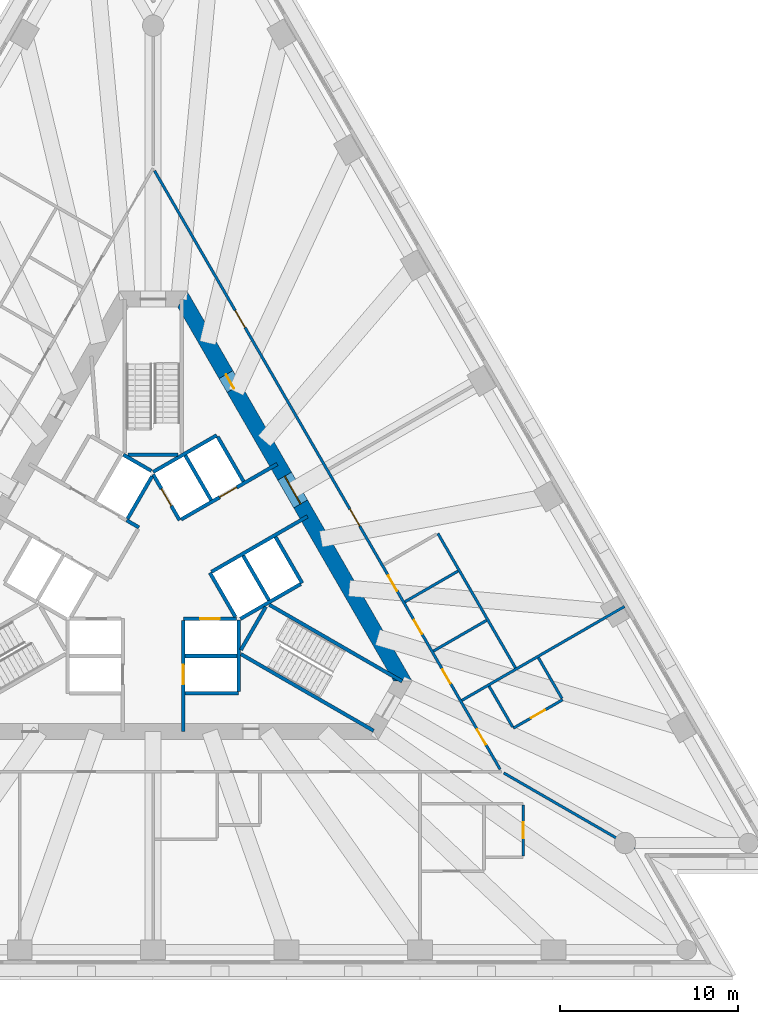
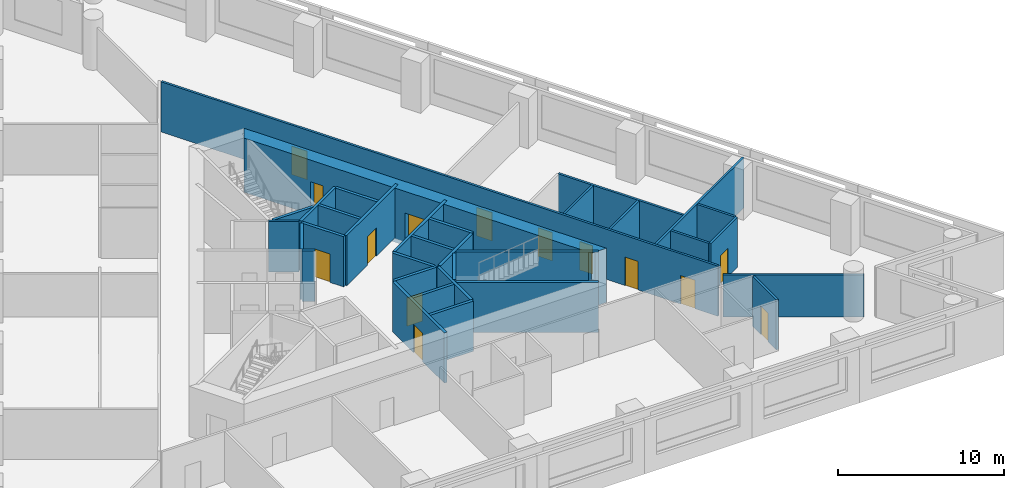
# One storey, part 5 of 9: 33 walls, 14 doors, 14 openings.
"""IFC4 building model written with IfcOpenShell, lengths in metres."""

import ifcopenshell
import ifcopenshell.guid

model = None  # the IFC model being written
_history = None  # IfcOwnerHistory: only IFC2X3 demands one
_inside = {}  # id of a spatial element -> (the spatial element, [elements in it])
_under = {}  # id of a project, library or spatial element -> (it, [spatial elements below it])
_declared = {}  # id of a project -> (the project, [libraries it declares])
_typed = {}  # id of a type object -> (the type object, [elements of that type])
_made_of = {}  # id of a material, layer set ... -> (it, [elements and type objects made of it])


def new_model(schema):
    """Start an empty IFC model of exactly this schema.

    Asked for "IFC4X3", IfcOpenShell would pick the latest addendum, in which some entities
    have other attributes; the version numbers below select the first issue.
    IFC2X3 requires an IfcOwnerHistory on every rooted entity: one is made here for all.
    """
    global model, _history
    if schema == "IFC4X3":
        model = ifcopenshell.file(schema_version=(4, 3, 0, 0))
    else:
        model = ifcopenshell.file(schema=schema)
    _inside.clear()
    _under.clear()
    _declared.clear()
    _typed.clear()
    _made_of.clear()
    _history = None
    if model.schema == "IFC2X3":
        org = make("IfcOrganization", Name="unknown")
        user = make(
            "IfcPersonAndOrganization",
            ThePerson=make("IfcPerson", FamilyName="unknown"),
            TheOrganization=org,
        )
        app = make(
            "IfcApplication",
            ApplicationDeveloper=org,
            Version="unknown",
            ApplicationFullName="unknown",
            ApplicationIdentifier="unknown",
        )
        _history = make(
            "IfcOwnerHistory",
            OwningUser=user,
            OwningApplication=app,
            ChangeAction="ADDED",
            CreationDate=0,
        )
    return model


def make(cls, **values):
    """One entity of the class cls with the attributes given. An attribute that is None is left unset."""
    return model.create_entity(
        cls, **{name: value for name, value in values.items() if value is not None}
    )


def rooted(cls, **values):
    """An entity with a GlobalId (a new one), such as an element, a storey or a relation."""
    return make(cls, GlobalId=ifcopenshell.guid.new(), OwnerHistory=_history, **values)


def si_unit(unit_type, name, prefix=None):
    """IfcSIUnit, for example si_unit("LENGTHUNIT", "METRE", prefix="MILLI")."""
    return make("IfcSIUnit", UnitType=unit_type, Prefix=prefix, Name=name)


def assignment(units):
    """IfcUnitAssignment: the units of a project."""
    return None if units is None else make("IfcUnitAssignment", Units=units)


def point(xyz):
    """IfcCartesianPoint."""
    return None if xyz is None else make("IfcCartesianPoint", Coordinates=xyz)


def direction(xyz):
    """IfcDirection."""
    return None if xyz is None else make("IfcDirection", DirectionRatios=xyz)


def frame(location, z_axis=None, x_axis=None):
    """IfcAxis2Placement3D, a coordinate frame: its origin and axes. An axis left out is left unset."""
    return make(
        "IfcAxis2Placement3D",
        Location=point(location),
        Axis=direction(z_axis),
        RefDirection=direction(x_axis),
    )


def frame_2d(location, x_axis=None):
    """IfcAxis2Placement2D, a coordinate frame in the plane: its origin and x axis."""
    return make(
        "IfcAxis2Placement2D", Location=point(location), RefDirection=direction(x_axis)
    )


def origin():
    """The frame at (0, 0, 0) with its axes left unset."""
    return frame((0.0, 0.0, 0.0))


def place(relative_to, where):
    """IfcLocalPlacement: puts the frame where relative to a parent placement (None: the world)."""
    return make(
        "IfcLocalPlacement", PlacementRelTo=relative_to, RelativePlacement=where
    )


def context(
    kind, dimensions, precision=None, world=None, true_north=None, identifier=None
):
    """IfcGeometricRepresentationContext, for example the 3D "Model" context."""
    return make(
        "IfcGeometricRepresentationContext",
        ContextIdentifier=identifier,
        ContextType=kind,
        CoordinateSpaceDimension=dimensions,
        Precision=precision,
        WorldCoordinateSystem=world,
        TrueNorth=true_north,
    )


def subcontext(parent, identifier, kind, view, scale=None):
    """IfcGeometricRepresentationSubContext, for example "Body" below "Model"."""
    return make(
        "IfcGeometricRepresentationSubContext",
        ContextIdentifier=identifier,
        ContextType=kind,
        ParentContext=parent,
        TargetScale=scale,
        TargetView=view,
    )


def project(units=None, contexts=None):
    """IfcProject with its units and contexts."""
    return rooted(
        "IfcProject",
        Name="project",
        RepresentationContexts=contexts,
        UnitsInContext=assignment(units),
    )


def spatial(cls, under=None, at=None, **own):
    """A site, building, storey or space (cls), placed at a placement, below another one or the project."""
    s = rooted(cls, ObjectPlacement=at, **own)
    if under is not None:
        _under.setdefault(under.id(), (under, []))[1].append(s)
    return s


def polyline(points):
    """IfcPolyline through the points."""
    return make("IfcPolyline", Points=[point(p) for p in points])


def profile(cls, at=None, kind="AREA", **sizes):
    """A parametric profile (cls). Its sizes go by their IFC names, for example OverallWidth=200.0."""
    return make(cls, ProfileType=kind, Position=at, **sizes)


def rectangle(**sizes):
    """IfcRectangleProfileDef."""
    return profile("IfcRectangleProfileDef", **sizes)


def outline(outer, holes=None, kind="AREA"):
    """IfcArbitraryClosedProfileDef: a profile drawn as a closed curve; with holes, ...WithVoids."""
    if holes is None:
        return make("IfcArbitraryClosedProfileDef", ProfileType=kind, OuterCurve=outer)
    return make(
        "IfcArbitraryProfileDefWithVoids",
        ProfileType=kind,
        OuterCurve=outer,
        InnerCurves=holes,
    )


def extrude(swept, where, along, depth):
    """IfcExtrudedAreaSolid: the profile swept, set in the frame where, extruded along a direction by depth."""
    return make(
        "IfcExtrudedAreaSolid",
        SweptArea=swept,
        Position=where,
        ExtrudedDirection=direction(along),
        Depth=depth,
    )


def shape(context_of_items, identifier, shape_type, items):
    """IfcShapeRepresentation: the items that make up one representation, for example the "Body"."""
    return make(
        "IfcShapeRepresentation",
        ContextOfItems=context_of_items,
        RepresentationIdentifier=identifier,
        RepresentationType=shape_type,
        Items=items,
    )


def material(Name=None, Category=None):
    """IfcMaterial."""
    return make("IfcMaterial", Name=Name, Category=Category)


def layer(
    of_material, thickness, ventilated=None, Name=None, Category=None, Priority=None
):
    """IfcMaterialLayer: one layer of a wall or slab, of a material (None: an air gap)."""
    return make(
        "IfcMaterialLayer",
        Material=of_material,
        LayerThickness=thickness,
        IsVentilated=ventilated,
        Name=Name,
        Category=Category,
        Priority=Priority,
    )


def layer_set(layers, Name=None):
    """IfcMaterialLayerSet."""
    return make("IfcMaterialLayerSet", MaterialLayers=layers, LayerSetName=Name)


def made_of(thing, what):
    """Note that an element or type object is made of a material, layer set ...; save() writes the relation."""
    if what is not None:
        _made_of.setdefault(what.id(), (what, []))[1].append(thing)
    return thing


def type_object(cls, material=None, **own):
    """A type object (cls), such as IfcWallType, which elements share."""
    return made_of(rooted(cls, **own), material)


def element(
    cls,
    number,
    at=None,
    inside=None,
    cuts=None,
    type_object=None,
    material=None,
    context=None,
    identifier="Body",
    shape_type=None,
    held_by="IfcProductDefinitionShape",
    body=None,
    shapes=None,
    **own,
):
    """One element of the class cls, such as IfcWall. Its Tag is "e" and its number.

    at: its placement. inside: the storey or other place that contains it. cuts: it is an
    opening in that element (IfcRelVoidsElement). A single representation is given by context,
    identifier, shape_type and body (its items); several are given by shapes. held_by: the class
    of the entity that holds the representations. save() writes the other relations.
    """
    e = rooted(cls, Tag="e%d" % number, ObjectPlacement=at, **own)
    if body is not None:
        shapes = [shape(context, identifier, shape_type, body)]
    if shapes is not None:
        e.Representation = make(held_by, Representations=shapes)
    if inside is not None:
        _inside.setdefault(inside.id(), (inside, []))[1].append(e)
    if cuts is not None:
        rooted(
            "IfcRelVoidsElement", RelatingBuildingElement=cuts, RelatedOpeningElement=e
        )
    if type_object is not None:
        _typed.setdefault(type_object.id(), (type_object, []))[1].append(e)
    return made_of(e, material)


def fill(opening, filler):
    """IfcRelFillsElement: the door or window that sits in an opening."""
    return rooted(
        "IfcRelFillsElement",
        RelatingOpeningElement=opening,
        RelatedBuildingElement=filler,
    )


def aggregate(whole, parts):
    """IfcRelAggregates: a whole, such as a stair, and the parts it consists of."""
    return rooted("IfcRelAggregates", RelatingObject=whole, RelatedObjects=parts)


def save(model, path):
    """Write the relations noted so far, then the file.

    IfcRelAggregates (storeys below a building ...), IfcRelContainedInSpatialStructure (elements
    in a storey), IfcRelDefinesByType, IfcRelAssociatesMaterial and IfcRelDeclares: one each for
    every whole, place, type object, material and project.
    """
    for whole, parts in _under.values():
        aggregate(whole, parts)
    for where, things in _inside.values():
        rooted(
            "IfcRelContainedInSpatialStructure",
            RelatedElements=things,
            RelatingStructure=where,
        )
    for kind, things in _typed.values():
        rooted("IfcRelDefinesByType", RelatedObjects=things, RelatingType=kind)
    for what, things in _made_of.values():
        rooted("IfcRelAssociatesMaterial", RelatedObjects=things, RelatingMaterial=what)
    for by, libraries in _declared.values():
        rooted("IfcRelDeclares", RelatingContext=by, RelatedDefinitions=libraries)
    model.write(path)


model = new_model("IFC4")

# Units and contexts
model_context = context("Model", 3, precision=1e-05, world=origin(), true_north=direction((0.0, 1.0)))
body_context = subcontext(model_context, "Body", "Model", "MODEL_VIEW")
ifc_project = project(units=[si_unit("LENGTHUNIT", "METRE"), si_unit("AREAUNIT", "SQUARE_METRE"), si_unit("VOLUMEUNIT", "CUBIC_METRE"), si_unit("PLANEANGLEUNIT", "RADIAN"), si_unit("MASSUNIT", "GRAM", prefix="KILO")], contexts=[model_context])

# Site, building, storey
site_placement = place(None, origin())
site = spatial("IfcSite", under=ifc_project, at=site_placement, CompositionType="ELEMENT")
building_placement = place(site_placement, origin())
building = spatial("IfcBuilding", under=site, at=building_placement, Name="Triada Interchange Tower", CompositionType="ELEMENT")
storey_placement = place(building_placement, frame((0.0, 0.0, 47.300048828125)))
storey = spatial("IfcBuildingStorey", under=building, at=storey_placement, Name="L09", CompositionType="ELEMENT", Elevation=47.300048828125)

# Walls
ifc_material_1 = material(Name="Concrete C30/37", Category="concrete")
ifc_layer_1 = layer(ifc_material_1, 0.199951171875)
ifc_layer_set_1 = layer_set([ifc_layer_1], Name="CORE WALL 200 EI 120")
wall_type_1 = type_object("IfcWallType", Name="CORE WALL 200 EI 120", PredefinedType="SOLIDWALL", material=ifc_layer_set_1)
wall_1_placement = place(storey_placement, frame((1.800048828125, -4.800048828125, 0.0), z_axis=(0.0, 0.0, 1.0), x_axis=(1.0, 0.0, 0.0)))
element("IfcWall", 1, at=wall_1_placement, inside=storey, type_object=wall_type_1, Name="Wall L09 40", PredefinedType="SOLIDWALL", context=body_context, shape_type="SweptSolid", body=[
    extrude(rectangle(XDim=2.89990234375, YDim=0.199951171875, at=frame_2d((1.449951171875, 0.0))), origin(), (0.0, 0.0, 1.0), 3.699951171875),
])
wall_2_placement = place(storey_placement, frame((1.800048828125, -6.89990234375, 0.0), z_axis=(0.0, 0.0, 1.0), x_axis=(1.0, 0.0, 0.0)))
element("IfcWall", 2, at=wall_2_placement, inside=storey, type_object=wall_type_1, Name="Wall L09 43", PredefinedType="SOLIDWALL", context=body_context, shape_type="SweptSolid", body=[
    extrude(rectangle(XDim=3.0, YDim=0.199951171875, at=frame_2d((1.5, 0.0))), origin(), (0.0, 0.0, 1.0), 3.699951171875),
])

# Wall, opening, door
wall_3_placement = place(storey_placement, frame((1.702880859375, -2.699951171875, 0.0), z_axis=(0.0, 0.0, 1.0), x_axis=(1.0, 0.0, 0.0)))
wall_3 = element("IfcWall", 3, at=wall_3_placement, inside=storey, type_object=wall_type_1, Name="Wall L09 46", PredefinedType="SOLIDWALL", context=body_context, shape_type="SweptSolid", body=[
    extrude(rectangle(XDim=2.97314453125, YDim=0.199951171875, at=frame_2d((1.486572265625, 0.0))), origin(), (0.0, 0.0, 1.0), 3.699951171875),
])
opening_1_placement = place(wall_3_placement, frame((0.93603515625, 0.0, 0.0)))
opening_1 = element("IfcOpeningElement", 4, at=opening_1_placement, cuts=wall_3, Name="Opening LD-LR1", PredefinedType="OPENING", context=body_context, shape_type="SweptSolid", body=[
    extrude(rectangle(XDim=1.10009765625, YDim=2.10009765625, at=frame_2d((0.550048828125, 1.050048828125))), frame((0.0, 0.10986328125, 0.0), z_axis=(0.0, -1.0, 0.0), x_axis=(1.0, 0.0, 0.0)), (0.0, 0.0, 1.0), 0.219970703125),
])
ifc_material_2 = material(Name="Steel S235 door leaf", Category="steel")
door_type_1 = type_object("IfcDoorType", Name="LIFT LANDING DOOR 1100 EI 120", OperationType="SLIDING_TO_LEFT", PredefinedType="DOOR", material=ifc_material_2)
door_1_placement = place(opening_1_placement, origin())
door_1 = element("IfcDoor", 5, at=door_1_placement, inside=storey, type_object=door_type_1, Name="LR1 landing door L09", OperationType="SLIDING_TO_LEFT", OverallHeight=2.10009765625, OverallWidth=1.10009765625, PredefinedType="DOOR", context=body_context, shape_type="SweptSolid", body=[
    extrude(rectangle(XDim=1.10009765625, YDim=2.10009765625, at=frame_2d((0.550048828125, 1.050048828125))), frame((0.0, 0.02490234375, 0.0), z_axis=(0.0, -1.0, 0.0), x_axis=(1.0, 0.0, 0.0)), (0.0, 0.0, 1.0), 0.050048828125),
])
fill(opening_1, door_1)

# Wall
wall_4_placement = place(storey_placement, frame((-0.001953125, 5.541015625, 0.0), z_axis=(0.0, 0.0, 1.0), x_axis=(0.86600155993, 0.500041296494, 0.0)))
element("IfcWall", 6, at=wall_4_placement, inside=storey, type_object=wall_type_1, Name="Wall L09 47", PredefinedType="SOLIDWALL", context=body_context, shape_type="SweptSolid", body=[
    extrude(rectangle(XDim=4.131591796875, YDim=0.199951171875, at=frame_2d((2.06591796875, 0.0))), origin(), (0.0, 0.0, 1.0), 3.699951171875),
])

# Wall, opening, door
wall_5_placement = place(storey_placement, frame((0.0, 5.39990234375, 0.0), z_axis=(0.0, 0.0, 1.0), x_axis=(0.500103862429, -0.865965430478, 0.0)))
wall_5 = element("IfcWall", 7, at=wall_5_placement, inside=storey, type_object=wall_type_1, Name="Wall L09 48", PredefinedType="SOLIDWALL", context=body_context, shape_type="SweptSolid", body=[
    extrude(rectangle(XDim=2.973388671875, YDim=0.199951171875, at=frame_2d((1.48681640625, 0.0))), origin(), (0.0, 0.0, 1.0), 3.699951171875),
])
opening_2_placement = place(wall_5_placement, frame((0.93701171875, 0.0, 0.0)))
opening_2 = element("IfcOpeningElement", 8, at=opening_2_placement, cuts=wall_5, Name="Opening LD-LR5", PredefinedType="OPENING", context=body_context, shape_type="SweptSolid", body=[
    extrude(rectangle(XDim=1.10009765625, YDim=2.10009765625, at=frame_2d((0.550048828125, 1.050048828125))), frame((0.0, 0.10986328125, 0.0), z_axis=(0.0, -1.0, 0.0), x_axis=(1.0, 0.0, 0.0)), (0.0, 0.0, 1.0), 0.219970703125),
])
door_2_placement = place(opening_2_placement, origin())
door_2 = element("IfcDoor", 9, at=door_2_placement, inside=storey, type_object=door_type_1, Name="LR5 landing door L09", OperationType="SLIDING_TO_LEFT", OverallHeight=2.10009765625, OverallWidth=1.10009765625, PredefinedType="DOOR", context=body_context, shape_type="SweptSolid", body=[
    extrude(rectangle(XDim=1.10009765625, YDim=2.10009765625, at=frame_2d((0.550048828125, 1.050048828125))), frame((0.0, 0.02490234375, 0.0), z_axis=(0.0, -1.0, 0.0), x_axis=(1.0, 0.0, 0.0)), (0.0, 0.0, 1.0), 0.050048828125),
])
fill(opening_2, door_2)

# Wall
wall_6_placement = place(storey_placement, frame((3.18994140625, -0.125, 0.0), z_axis=(0.0, 0.0, 1.0), x_axis=(0.499988658015, -0.866031951983, 0.0)))
element("IfcWall", 10, at=wall_6_placement, inside=storey, type_object=wall_type_1, Name="Wall L09 49", PredefinedType="SOLIDWALL", context=body_context, shape_type="SweptSolid", body=[
    extrude(rectangle(XDim=2.85791015625, YDim=0.199951171875, at=frame_2d((1.428955078125, 0.0))), origin(), (0.0, 0.0, 1.0), 3.699951171875),
])

# Wall, opening, door
wall_7_placement = place(storey_placement, frame((1.577880859375, 2.8740234375, 0.0), z_axis=(0.0, 0.0, 1.0), x_axis=(0.866031483044, 0.499989470266, 0.0)))
wall_7 = element("IfcWall", 11, at=wall_7_placement, inside=storey, type_object=wall_type_1, Name="Wall L09 50", PredefinedType="SOLIDWALL", context=body_context, shape_type="SweptSolid", body=[
    extrude(rectangle(XDim=6.226318359375, YDim=0.199951171875, at=frame_2d((3.11328125, 0.0))), origin(), (0.0, 0.0, 1.0), 3.699951171875),
])
opening_3_placement = place(wall_7_placement, frame((2.49609375, 0.0, 0.0)))
opening_3 = element("IfcOpeningElement", 12, at=opening_3_placement, cuts=wall_7, Name="Opening LD-LR6", PredefinedType="OPENING", context=body_context, shape_type="SweptSolid", body=[
    extrude(rectangle(XDim=1.10009765625, YDim=2.10009765625, at=frame_2d((0.550048828125, 1.050048828125))), frame((0.0, 0.10986328125, 0.0), z_axis=(0.0, -1.0, 0.0), x_axis=(1.0, 0.0, 0.0)), (0.0, 0.0, 1.0), 0.219970703125),
])
door_3_placement = place(opening_3_placement, origin())
door_3 = element("IfcDoor", 13, at=door_3_placement, inside=storey, type_object=door_type_1, Name="LR6 landing door L09", OperationType="SLIDING_TO_LEFT", OverallHeight=2.10009765625, OverallWidth=1.10009765625, PredefinedType="DOOR", context=body_context, shape_type="SweptSolid", body=[
    extrude(rectangle(XDim=1.10009765625, YDim=2.10009765625, at=frame_2d((0.550048828125, 1.050048828125))), frame((0.0, 0.02490234375, 0.0), z_axis=(0.0, -1.0, 0.0), x_axis=(1.0, 0.0, 0.0)), (0.0, 0.0, 1.0), 0.050048828125),
])
fill(opening_3, door_3)

wall_8_placement = place(storey_placement, frame((1.699951171875, -9.030029296875, 0.0), z_axis=(0.0, 0.0, 1.0), x_axis=(0.0, 1.0, 0.0)))
wall_8 = element("IfcWall", 14, at=wall_8_placement, inside=storey, type_object=wall_type_1, Name="Wall L09 51", PredefinedType="SOLIDWALL", context=body_context, shape_type="SweptSolid", body=[
    extrude(rectangle(XDim=6.22705078125, YDim=0.199951171875, at=frame_2d((3.113525390625, 0.0))), origin(), (0.0, 0.0, 1.0), 3.699951171875),
])
opening_4_placement = place(wall_8_placement, frame((2.6298828125, 0.0, 0.0)))
opening_4 = element("IfcOpeningElement", 15, at=opening_4_placement, cuts=wall_8, Name="Opening LD-LR2", PredefinedType="OPENING", context=body_context, shape_type="SweptSolid", body=[
    extrude(rectangle(XDim=1.10009765625, YDim=2.10009765625, at=frame_2d((0.550048828125, 1.050048828125))), frame((0.0, 0.10986328125, 0.0), z_axis=(0.0, -1.0, 0.0), x_axis=(1.0, 0.0, 0.0)), (0.0, 0.0, 1.0), 0.219970703125),
])
door_4_placement = place(opening_4_placement, origin())
door_4 = element("IfcDoor", 16, at=door_4_placement, inside=storey, type_object=door_type_1, Name="LR2 landing door L09", OperationType="SLIDING_TO_LEFT", OverallHeight=2.10009765625, OverallWidth=1.10009765625, PredefinedType="DOOR", context=body_context, shape_type="SweptSolid", body=[
    extrude(rectangle(XDim=1.10009765625, YDim=2.10009765625, at=frame_2d((0.550048828125, 1.050048828125))), frame((0.0, 0.02490234375, 0.0), z_axis=(0.0, -1.0, 0.0), x_axis=(1.0, 0.0, 0.0)), (0.0, 0.0, 1.0), 0.050048828125),
])
fill(opening_4, door_4)

# Walls
wall_9_placement = place(storey_placement, frame((4.800048828125, -6.800048828125, 0.0), z_axis=(0.0, 0.0, 1.0), x_axis=(0.0, 1.0, 0.0)))
element("IfcWall", 17, at=wall_9_placement, inside=storey, type_object=wall_type_1, Name="Wall L09 52", PredefinedType="SOLIDWALL", context=body_context, shape_type="SweptSolid", body=[
    extrude(rectangle(XDim=4.029052734375, YDim=0.199951171875, at=frame_2d((2.0146484375, 0.0))), origin(), (0.0, 0.0, 1.0), 3.699951171875),
])
wall_10_placement = place(storey_placement, frame((3.278076171875, -0.071044921875, 0.0), z_axis=(0.0, 0.0, 1.0), x_axis=(0.865953757655, 0.500124074208, 0.0)))
element("IfcWall", 18, at=wall_10_placement, inside=storey, type_object=wall_type_1, Name="Wall L09 53", PredefinedType="SOLIDWALL", context=body_context, shape_type="SweptSolid", body=[
    extrude(rectangle(XDim=6.2265625, YDim=0.199951171875, at=frame_2d((3.11328125, 0.0))), origin(), (0.0, 0.0, 1.0), 3.699951171875),
])
wall_11_placement = place(storey_placement, frame((3.6259765625, 7.52001953125, 0.0), z_axis=(0.0, 0.0, 1.0), x_axis=(0.500060147554, -0.865990674793, 0.0)))
element("IfcWall", 19, at=wall_11_placement, inside=storey, type_object=wall_type_1, Name="Wall L09 54", PredefinedType="SOLIDWALL", context=body_context, shape_type="SweptSolid", body=[
    extrude(rectangle(XDim=2.899658203125, YDim=0.199951171875, at=frame_2d((1.44970703125, 0.0))), origin(), (0.0, 0.0, 1.0), 3.699951171875),
])
wall_12_placement = place(storey_placement, frame((6.8759765625, 1.89111328125, 0.0), z_axis=(0.0, 0.0, 1.0), x_axis=(0.499990139034, -0.866031096941, 0.0)))
element("IfcWall", 20, at=wall_12_placement, inside=storey, type_object=wall_type_1, Name="Wall L09 55", PredefinedType="SOLIDWALL", context=body_context, shape_type="SweptSolid", body=[
    extrude(rectangle(XDim=3.0, YDim=0.199951171875, at=frame_2d((1.5, 0.0))), origin(), (0.0, 0.0, 1.0), 3.699951171875),
])
for number, where, z_axis, x_axis, name in (
    (21, (1.806884765625, 6.469970703125, 0.0), (0.0, 0.0, 1.0), (0.50012328804, -0.865954211699, 0.0), "Wall L09 56"),
    (22, (5.056884765625, 0.841064453125, 0.0), (0.0, 0.0, 1.0), (0.50012328804, -0.865954211699, 0.0), "Wall L09 57"),
):
    element("IfcWall", number, at=place(storey_placement, frame(where, z_axis=z_axis, x_axis=x_axis)), inside=storey, type_object=wall_type_1, Name=name, PredefinedType="SOLIDWALL", context=body_context, shape_type="SweptSolid", body=[
        extrude(rectangle(XDim=2.899658203125, YDim=0.199951171875, at=frame_2d((1.44970703125, 0.0))), origin(), (0.0, 0.0, 1.0), 3.699951171875),
    ])
wall_13_placement = place(storey_placement, frame((4.89990234375, -2.714111328125, 0.0), z_axis=(0.0, 0.0, 1.0), x_axis=(0.865992350556, 0.500057245502, 0.0)))
element("IfcWall", 23, at=wall_13_placement, inside=storey, type_object=wall_type_1, Name="Wall L09 58", PredefinedType="SOLIDWALL", context=body_context, shape_type="SweptSolid", body=[
    extrude(rectangle(XDim=3.91357421875, YDim=0.199951171875, at=frame_2d((1.956787109375, 0.0))), origin(), (0.0, 0.0, 1.0), 3.699951171875),
])
ifc_layer_2 = layer(ifc_material_1, 0.199951171875)
ifc_layer_set_2 = layer_set([ifc_layer_2], Name="CORE WALL 200 EI 180")
wall_type_2 = type_object("IfcWallType", Name="CORE WALL 200 EI 180", PredefinedType="SOLIDWALL", material=ifc_layer_set_2)
wall_14_placement = place(storey_placement, frame((-1.488037109375, 2.822021484375, 0.0), z_axis=(0.0, 0.0, 1.0), x_axis=(0.866236612152, -0.499633997809, 0.0)))
element("IfcWall", 24, at=wall_14_placement, inside=storey, type_object=wall_type_2, Name="Wall L09 62", PredefinedType="SOLIDWALL", context=body_context, shape_type="SweptSolid", body=[
    extrude(rectangle(XDim=0.79638671875, YDim=0.199951171875, at=frame_2d((0.398193359375, 0.0))), origin(), (0.0, 0.0, 1.0), 3.699951171875),
])
wall_15_placement = place(storey_placement, frame((-1.669921875, 6.507080078125, 0.0), z_axis=(0.0, 0.0, 1.0), x_axis=(0.865941441609, -0.500145398563, 0.0)))
element("IfcWall", 25, at=wall_15_placement, inside=storey, type_object=wall_type_2, Name="Shaft wall FF2 L09 72", PredefinedType="SOLIDWALL", context=body_context, shape_type="SweptSolid", body=[
    extrude(rectangle(XDim=1.8154296875, YDim=0.199951171875, at=frame_2d((0.90771484375, 0.0))), origin(), (0.0, 0.0, 1.0), 3.699951171875),
])
wall_16_placement = place(storey_placement, frame((-1.43798828125, 2.908935546875, 0.0), z_axis=(0.0, 0.0, 1.0), x_axis=(0.499829630636, 0.866123744241, 0.0)))
element("IfcWall", 26, at=wall_16_placement, inside=storey, type_object=wall_type_2, Name="Shaft wall FF2 L09 73", PredefinedType="SOLIDWALL", context=body_context, shape_type="SweptSolid", body=[
    extrude(rectangle(XDim=2.7607421875, YDim=0.199951171875, at=frame_2d((1.38037109375, 0.0))), origin(), (0.0, 0.0, 1.0), 3.699951171875),
])
ifc_layer_3 = layer(ifc_material_1, 0.199951171875)
ifc_layer_set_3 = layer_set([ifc_layer_3], Name="CORE WALL 200 REI 240")
wall_type_3 = type_object("IfcWallType", Name="CORE WALL 200 REI 240", PredefinedType="SOLIDWALL", material=ifc_layer_set_3)
wall_17_placement = place(storey_placement, frame((-1.39990234375, 6.5, 0.0), z_axis=(0.0, 0.0, 1.0), x_axis=(1.0, 0.0, 0.0)))
element("IfcWall", 27, at=wall_17_placement, inside=storey, type_object=wall_type_3, Name="Wall L09 79", PredefinedType="SOLIDWALL", context=body_context, shape_type="SweptSolid", body=[
    extrude(rectangle(XDim=2.7998046875, YDim=0.199951171875, at=frame_2d((1.39990234375, 0.0))), origin(), (0.0, 0.0, 1.0), 3.699951171875),
])
wall_18_placement = place(storey_placement, frame((4.928955078125, -4.693115234375, 0.0), z_axis=(0.0, 0.0, 1.0), x_axis=(0.866010975815, -0.500024989144, 0.0)))
element("IfcWall", 28, at=wall_18_placement, inside=storey, type_object=wall_type_3, Name="Wall L09 81", PredefinedType="SOLIDWALL", context=body_context, shape_type="SweptSolid", body=[
    extrude(rectangle(XDim=8.615234375, YDim=0.199951171875, at=frame_2d((4.3076171875, 0.0))), origin(), (0.0, 0.0, 1.0), 3.699951171875),
])
wall_19_placement = place(storey_placement, frame((4.928955078125, -4.4619140625, 0.0), z_axis=(0.0, 0.0, 1.0), x_axis=(0.500200581029, 0.865909567298, 0.0)))
element("IfcWall", 29, at=wall_19_placement, inside=storey, type_object=wall_type_3, Name="Wall L09 82", PredefinedType="SOLIDWALL", context=body_context, shape_type="SweptSolid", body=[
    extrude(rectangle(XDim=2.799072265625, YDim=0.199951171875, at=frame_2d((1.3994140625, 0.0))), origin(), (0.0, 0.0, 1.0), 3.699951171875),
])
wall_20_placement = place(storey_placement, frame((6.529052734375, -1.922119140625, 0.0), z_axis=(0.0, 0.0, 1.0), x_axis=(0.866060059011, -0.499939970583, 0.0)))
element("IfcWall", 30, at=wall_20_placement, inside=storey, type_object=wall_type_3, Name="Wall L09 83", PredefinedType="SOLIDWALL", context=body_context, shape_type="SweptSolid", body=[
    extrude(rectangle(XDim=8.61474609375, YDim=0.199951171875, at=frame_2d((4.307373046875, 0.0))), origin(), (0.0, 0.0, 1.0), 3.699951171875),
])

# Wall, openings, doors
ifc_material_3 = material(Name="Concrete C70/85", Category="concrete")
ifc_layer_4 = layer(ifc_material_3, 0.89990234375)
ifc_layer_set_4 = layer_set([ifc_layer_4], Name="Core wall A 900")
wall_type_4 = type_object("IfcWallType", Name="Core wall A 900", PredefinedType="SHEAR", material=ifc_layer_set_4)
wall_21_placement = place(storey_placement, frame((14.030029296875, -6.199951171875, -0.300048828125), z_axis=(0.0, 0.0, 1.0), x_axis=(-0.500026485275, 0.866010111964, 0.0)))
wall_21 = element("IfcWall", 31, at=wall_21_placement, inside=storey, type_object=wall_type_4, Name="Core wall WA06 L09", PredefinedType="SHEAR", context=body_context, shape_type="SweptSolid", body=[
    extrude(outline(polyline([(-0.260009765625, -0.448974609375), (1.685302734375, -0.448974609375), (3.63037109375, -0.44921875), (5.57568359375, -0.44921875), (7.52099609375, -0.44921875), (9.466064453125, -0.449462890625), (11.411376953125, -0.449462890625), (13.356689453125, -0.449462890625), (15.302001953125, -0.449462890625), (17.2470703125, -0.44970703125), (19.1923828125, -0.44970703125), (21.1376953125, -0.44970703125), (23.082763671875, -0.449951171875), (25.028076171875, -0.449951171875), (24.509033203125, 0.448974609375), (22.643798828125, 0.448974609375), (20.7783203125, 0.44921875), (18.9130859375, 0.44921875), (17.0478515625, 0.44921875), (15.182373046875, 0.449462890625), (13.317138671875, 0.449462890625), (11.451904296875, 0.449462890625), (9.586669921875, 0.449462890625), (7.72119140625, 0.44970703125), (5.85595703125, 0.44970703125), (3.99072265625, 0.44970703125), (2.125244140625, 0.449951171875), (0.260009765625, 0.449951171875), (-0.260009765625, -0.448974609375)])), origin(), (0.0, 0.0, 1.0), 4.0),
])
opening_5_placement = place(wall_21_placement, frame((11.48388671875, 0.0, 0.300048828125)))
opening_5 = element("IfcOpeningElement", 32, at=opening_5_placement, cuts=wall_21, Name="Opening D09-35", PredefinedType="OPENING", context=body_context, shape_type="SweptSolid", body=[
    extrude(rectangle(XDim=1.800048828125, YDim=2.10009765625, at=frame_2d((0.89990234375, 1.050048828125))), frame((0.0, 0.4599609375, 0.0), z_axis=(0.0, -1.0, 0.0), x_axis=(1.0, 0.0, 0.0)), (0.0, 0.0, 1.0), 0.919921875),
])
opening_6_placement = place(wall_21_placement, frame((18.97607421875, 0.0, 0.300048828125)))
opening_6 = element("IfcOpeningElement", 33, at=opening_6_placement, cuts=wall_21, Name="Opening D09-43", PredefinedType="OPENING", context=body_context, shape_type="SweptSolid", body=[
    extrude(rectangle(XDim=0.89990234375, YDim=2.10009765625, at=frame_2d((0.449951171875, 1.050048828125))), frame((0.0, 0.4599609375, 0.0), z_axis=(0.0, -1.0, 0.0), x_axis=(1.0, 0.0, 0.0)), (0.0, 0.0, 1.0), 0.919921875),
])
door_type_2 = type_object("IfcDoorType", Name="LOBBY DOOR 1800 EI2 90-C5S200", OperationType="DOUBLE_DOOR_SINGLE_SWING", PredefinedType="DOOR", material=ifc_material_2)
door_5_placement = place(opening_5_placement, origin())
door_5 = element("IfcDoor", 34, at=door_5_placement, inside=storey, type_object=door_type_2, Name="Door D09-35 L09", OperationType="DOUBLE_DOOR_SINGLE_SWING", OverallHeight=2.10009765625, OverallWidth=1.800048828125, PredefinedType="DOOR", context=body_context, shape_type="SweptSolid", body=[
    extrude(rectangle(XDim=1.800048828125, YDim=2.10009765625, at=frame_2d((0.89990234375, 1.050048828125))), frame((0.0, 0.02490234375, 0.0), z_axis=(0.0, -1.0, 0.0), x_axis=(1.0, 0.0, 0.0)), (0.0, 0.0, 1.0), 0.050048828125),
])
fill(opening_5, door_5)
door_type_3 = type_object("IfcDoorType", Name="RISER ACCESS DOOR 900 EI2 45-C5S200", OperationType="NOTDEFINED", PredefinedType="DOOR", material=ifc_material_2)
door_6_placement = place(opening_6_placement, origin())
door_6 = element("IfcDoor", 35, at=door_6_placement, inside=storey, type_object=door_type_3, Name="Door D09-43 L09", OperationType="SINGLE_SWING_LEFT", OverallHeight=2.10009765625, OverallWidth=0.89990234375, PredefinedType="DOOR", context=body_context, shape_type="SweptSolid", body=[
    extrude(rectangle(XDim=0.89990234375, YDim=2.10009765625, at=frame_2d((0.449951171875, 1.050048828125))), frame((0.0, 0.02490234375, 0.0), z_axis=(0.0, -1.0, 0.0), x_axis=(1.0, 0.0, 0.0)), (0.0, 0.0, 1.0), 0.050048828125),
])
fill(opening_6, door_6)

# Wall
ifc_material_4 = material(Name="Gypsum board partition")
ifc_layer_5 = layer(ifc_material_4, 0.14990234375)
ifc_layer_set_5 = layer_set([ifc_layer_5], Name="PARTITION 150 EI 180")
wall_type_5 = type_object("IfcWallType", Name="PARTITION 150 EI 180", PredefinedType="PARTITIONING", material=ifc_layer_set_5)
wall_22_placement = place(storey_placement, frame((19.701904296875, -11.3740234375, 0.0), z_axis=(0.0, 0.0, 1.0), x_axis=(0.865962467537, -0.500108992938, 0.0)))
element("IfcWall", 36, at=wall_22_placement, inside=storey, type_object=wall_type_5, Name="Wall L09 7", PredefinedType="PARTITIONING", context=body_context, shape_type="SweptSolid", body=[
    extrude(rectangle(XDim=8.4921875, YDim=0.14990234375, at=frame_2d((4.24609375, 0.0))), origin(), (0.0, 0.0, 1.0), 3.099853515625),
])

# Wall, openings, doors
wall_23_placement = place(storey_placement, frame((0.074951171875, 22.469970703125, 0.0), z_axis=(0.0, 0.0, 1.0), x_axis=(0.500002280369, -0.866024087209, 0.0)))
wall_23 = element("IfcWall", 37, at=wall_23_placement, inside=storey, type_object=wall_type_5, Name="Wall L09 19", PredefinedType="PARTITIONING", context=body_context, shape_type="SweptSolid", body=[
    extrude(rectangle(XDim=38.843994140625, YDim=0.14990234375, at=frame_2d((19.421875, 0.0))), origin(), (0.0, 0.0, 1.0), 3.699951171875),
])
opening_7_placement = place(wall_23_placement, frame((36.243896484375, 0.0, 0.0)))
opening_7 = element("IfcOpeningElement", 38, at=opening_7_placement, cuts=wall_23, Name="Opening D09-20", PredefinedType="OPENING", context=body_context, shape_type="SweptSolid", body=[
    extrude(rectangle(XDim=1.0, YDim=2.10009765625, at=frame_2d((0.5, 1.050048828125))), frame((0.0, 0.0849609375, 0.0), z_axis=(0.0, -1.0, 0.0), x_axis=(1.0, 0.0, 0.0)), (0.0, 0.0, 1.0), 0.169921875),
])
opening_8_placement = place(wall_23_placement, frame((21.962890625, 0.0, 0.0)))
opening_8 = element("IfcOpeningElement", 39, at=opening_8_placement, cuts=wall_23, Name="Opening D09-22", PredefinedType="OPENING", context=body_context, shape_type="SweptSolid", body=[
    extrude(rectangle(XDim=1.10009765625, YDim=2.10009765625, at=frame_2d((0.550048828125, 1.050048828125))), frame((0.0, 0.0849609375, 0.0), z_axis=(0.0, -1.0, 0.0), x_axis=(1.0, 0.0, 0.0)), (0.0, 0.0, 1.0), 0.169921875),
])
opening_9_placement = place(wall_23_placement, frame((32.363037109375, 0.0, 0.0)))
opening_9 = element("IfcOpeningElement", 40, at=opening_9_placement, cuts=wall_23, Name="Opening D09-23", PredefinedType="OPENING", context=body_context, shape_type="SweptSolid", body=[
    extrude(rectangle(XDim=0.89990234375, YDim=2.10009765625, at=frame_2d((0.449951171875, 1.050048828125))), frame((0.0, 0.0849609375, 0.0), z_axis=(0.0, -1.0, 0.0), x_axis=(1.0, 0.0, 0.0)), (0.0, 0.0, 1.0), 0.169921875),
])
opening_10_placement = place(wall_23_placement, frame((29.1630859375, 0.0, 0.0)))
opening_10 = element("IfcOpeningElement", 41, at=opening_10_placement, cuts=wall_23, Name="Opening D09-24", PredefinedType="OPENING", context=body_context, shape_type="SweptSolid", body=[
    extrude(rectangle(XDim=0.89990234375, YDim=2.10009765625, at=frame_2d((0.449951171875, 1.050048828125))), frame((0.0, 0.0849609375, 0.0), z_axis=(0.0, -1.0, 0.0), x_axis=(1.0, 0.0, 0.0)), (0.0, 0.0, 1.0), 0.169921875),
])
opening_11_placement = place(wall_23_placement, frame((26.262939453125, 0.0, 0.0)))
opening_11 = element("IfcOpeningElement", 42, at=opening_11_placement, cuts=wall_23, Name="Opening D09-25", PredefinedType="OPENING", context=body_context, shape_type="SweptSolid", body=[
    extrude(rectangle(XDim=1.0, YDim=2.10009765625, at=frame_2d((0.5, 1.050048828125))), frame((0.0, 0.0849609375, 0.0), z_axis=(0.0, -1.0, 0.0), x_axis=(1.0, 0.0, 0.0)), (0.0, 0.0, 1.0), 0.169921875),
])
opening_12_placement = place(wall_23_placement, frame((9.071044921875, 0.0, 0.0)))
opening_12 = element("IfcOpeningElement", 43, at=opening_12_placement, cuts=wall_23, Name="Opening D09-26", PredefinedType="OPENING", context=body_context, shape_type="SweptSolid", body=[
    extrude(rectangle(XDim=1.10009765625, YDim=2.10009765625, at=frame_2d((0.550048828125, 1.050048828125))), frame((0.0, 0.0849609375, 0.0), z_axis=(0.0, -1.0, 0.0), x_axis=(1.0, 0.0, 0.0)), (0.0, 0.0, 1.0), 0.169921875),
])
door_type_4 = type_object("IfcDoorType", Name="ROOM DOOR 1000 EI2 90-C5S200", OperationType="NOTDEFINED", PredefinedType="DOOR", material=ifc_material_2)
door_7_placement = place(opening_7_placement, origin())
door_7 = element("IfcDoor", 44, at=door_7_placement, inside=storey, type_object=door_type_4, Name="Door D09-20 L09", OperationType="SINGLE_SWING_RIGHT", OverallHeight=2.10009765625, OverallWidth=1.0, PredefinedType="DOOR", context=body_context, shape_type="SweptSolid", body=[
    extrude(rectangle(XDim=1.0, YDim=2.10009765625, at=frame_2d((0.5, 1.050048828125))), frame((0.0, 0.02490234375, 0.0), z_axis=(0.0, -1.0, 0.0), x_axis=(1.0, 0.0, 0.0)), (0.0, 0.0, 1.0), 0.050048828125),
])
fill(opening_7, door_7)
door_8_placement = place(opening_11_placement, origin())
door_8 = element("IfcDoor", 45, at=door_8_placement, inside=storey, type_object=door_type_4, Name="Door D09-25 L09", OperationType="SINGLE_SWING_RIGHT", OverallHeight=2.10009765625, OverallWidth=1.0, PredefinedType="DOOR", context=body_context, shape_type="SweptSolid", body=[
    extrude(rectangle(XDim=1.0, YDim=2.10009765625, at=frame_2d((0.5, 1.050048828125))), frame((0.0, 0.02490234375, 0.0), z_axis=(0.0, -1.0, 0.0), x_axis=(1.0, 0.0, 0.0)), (0.0, 0.0, 1.0), 0.050048828125),
])
fill(opening_11, door_8)
door_type_5 = type_object("IfcDoorType", Name="ROOM DOOR 900 EI2 90-C5S200", OperationType="NOTDEFINED", PredefinedType="DOOR", material=ifc_material_2)
door_9_placement = place(opening_9_placement, origin())
door_9 = element("IfcDoor", 46, at=door_9_placement, inside=storey, type_object=door_type_5, Name="Door D09-23 L09", OperationType="SINGLE_SWING_RIGHT", OverallHeight=2.10009765625, OverallWidth=0.89990234375, PredefinedType="DOOR", context=body_context, shape_type="SweptSolid", body=[
    extrude(rectangle(XDim=0.89990234375, YDim=2.10009765625, at=frame_2d((0.449951171875, 1.050048828125))), frame((0.0, 0.02490234375, 0.0), z_axis=(0.0, -1.0, 0.0), x_axis=(1.0, 0.0, 0.0)), (0.0, 0.0, 1.0), 0.050048828125),
])
fill(opening_9, door_9)
door_10_placement = place(opening_10_placement, origin())
door_10 = element("IfcDoor", 47, at=door_10_placement, inside=storey, type_object=door_type_5, Name="Door D09-24 L09", OperationType="SINGLE_SWING_RIGHT", OverallHeight=2.10009765625, OverallWidth=0.89990234375, PredefinedType="DOOR", context=body_context, shape_type="SweptSolid", body=[
    extrude(rectangle(XDim=0.89990234375, YDim=2.10009765625, at=frame_2d((0.449951171875, 1.050048828125))), frame((0.0, 0.02490234375, 0.0), z_axis=(0.0, -1.0, 0.0), x_axis=(1.0, 0.0, 0.0)), (0.0, 0.0, 1.0), 0.050048828125),
])
fill(opening_10, door_10)
door_type_6 = type_object("IfcDoorType", Name="TENANCY ENTRANCE DOOR 1100 EI2 90-C5S200", OperationType="NOTDEFINED", PredefinedType="DOOR", material=ifc_material_2)
door_11_placement = place(opening_8_placement, origin())
door_11 = element("IfcDoor", 48, at=door_11_placement, inside=storey, type_object=door_type_6, Name="Door D09-22 L09", OperationType="SINGLE_SWING_RIGHT", OverallHeight=2.10009765625, OverallWidth=1.10009765625, PredefinedType="DOOR", context=body_context, shape_type="SweptSolid", body=[
    extrude(rectangle(XDim=1.10009765625, YDim=2.10009765625, at=frame_2d((0.550048828125, 1.050048828125))), frame((0.0, 0.02490234375, 0.0), z_axis=(0.0, -1.0, 0.0), x_axis=(1.0, 0.0, 0.0)), (0.0, 0.0, 1.0), 0.050048828125),
])
fill(opening_8, door_11)
door_12_placement = place(opening_12_placement, origin())
door_12 = element("IfcDoor", 49, at=door_12_placement, inside=storey, type_object=door_type_6, Name="Door D09-26 L09", OperationType="SINGLE_SWING_LEFT", OverallHeight=2.10009765625, OverallWidth=1.10009765625, PredefinedType="DOOR", context=body_context, shape_type="SweptSolid", body=[
    extrude(rectangle(XDim=1.10009765625, YDim=2.10009765625, at=frame_2d((0.550048828125, 1.050048828125))), frame((0.0, 0.02490234375, 0.0), z_axis=(0.0, -1.0, 0.0), x_axis=(1.0, 0.0, 0.0)), (0.0, 0.0, 1.0), 0.050048828125),
])
fill(opening_12, door_12)

# Walls
wall_24_placement = place(storey_placement, frame((15.9990234375, 2.087890625, 0.0), z_axis=(0.0, 0.0, 1.0), x_axis=(0.500054279689, -0.865994063124, 0.0)))
element("IfcWall", 50, at=wall_24_placement, inside=storey, type_object=wall_type_5, Name="Wall L09 22", PredefinedType="PARTITIONING", context=body_context, shape_type="SweptSolid", body=[
    extrude(rectangle(XDim=8.72509765625, YDim=0.14990234375, at=frame_2d((4.362548828125, 0.0))), origin(), (0.0, 0.0, 1.0), 3.699951171875),
])
wall_25_placement = place(storey_placement, frame((14.14697265625, -1.7529296875, 0.0), z_axis=(0.0, 0.0, 1.0), x_axis=(0.865991092016, 0.500059425018, 0.0)))
element("IfcWall", 51, at=wall_25_placement, inside=storey, type_object=wall_type_5, Name="Wall L09 24", PredefinedType="PARTITIONING", context=body_context, shape_type="SweptSolid", body=[
    extrude(rectangle(XDim=3.44921875, YDim=0.14990234375, at=frame_2d((1.724609375, 0.0))), origin(), (0.0, 0.0, 1.0), 3.699951171875),
])
wall_26_placement = place(storey_placement, frame((15.7470703125, -4.52392578125, 0.0), z_axis=(0.0, 0.0, 1.0), x_axis=(0.865973391227, 0.500090077572, 0.0)))
element("IfcWall", 52, at=wall_26_placement, inside=storey, type_object=wall_type_5, Name="Wall L09 26", PredefinedType="PARTITIONING", context=body_context, shape_type="SweptSolid", body=[
    extrude(rectangle(XDim=3.448974609375, YDim=0.14990234375, at=frame_2d((1.724609375, 0.0))), origin(), (0.0, 0.0, 1.0), 3.699951171875),
])
wall_27_placement = place(storey_placement, frame((17.346923828125, -7.294921875, 0.0), z_axis=(0.0, 0.0, 1.0), x_axis=(0.866027613664, 0.499996172356, 0.0)))
element("IfcWall", 53, at=wall_27_placement, inside=storey, type_object=wall_type_5, Name="Wall L09 27", PredefinedType="PARTITIONING", context=body_context, shape_type="SweptSolid", body=[
    extrude(rectangle(XDim=10.5517578125, YDim=0.14990234375, at=frame_2d((5.27587890625, 0.0))), origin(), (0.0, 0.0, 1.0), 3.699951171875),
])

# Wall, opening, door
ifc_layer_6 = layer(ifc_material_4, 0.14990234375)
ifc_layer_set_6 = layer_set([ifc_layer_6], Name="PARTITION 150 EI 90")
wall_type_6 = type_object("IfcWallType", Name="PARTITION 150 EI 90", PredefinedType="PARTITIONING", material=ifc_layer_set_6)
wall_28_placement = place(storey_placement, frame((20.791015625, -16.02490234375, 0.0), z_axis=(0.0, 0.0, 1.0), x_axis=(0.0, 1.0, 0.0)))
wall_28 = element("IfcWall", 54, at=wall_28_placement, inside=storey, type_object=wall_type_6, Name="Wall L09 33", PredefinedType="PARTITIONING", context=body_context, shape_type="SweptSolid", body=[
    extrude(rectangle(XDim=2.849853515625, YDim=0.14990234375, at=frame_2d((1.4248046875, 0.0))), origin(), (0.0, 0.0, 1.0), 3.699951171875),
])
opening_13_placement = place(wall_28_placement, frame((0.97509765625, 0.0, 0.0)))
opening_13 = element("IfcOpeningElement", 55, at=opening_13_placement, cuts=wall_28, Name="Opening D09-19", PredefinedType="OPENING", context=body_context, shape_type="SweptSolid", body=[
    extrude(rectangle(XDim=0.89990234375, YDim=2.10009765625, at=frame_2d((0.449951171875, 1.050048828125))), frame((0.0, 0.0849609375, 0.0), z_axis=(0.0, -1.0, 0.0), x_axis=(1.0, 0.0, 0.0)), (0.0, 0.0, 1.0), 0.169921875),
])
door_type_7 = type_object("IfcDoorType", Name="SERVICE DOOR 900 EI2 45-C5S200", OperationType="NOTDEFINED", PredefinedType="DOOR", material=ifc_material_2)
door_13_placement = place(opening_13_placement, origin())
door_13 = element("IfcDoor", 56, at=door_13_placement, inside=storey, type_object=door_type_7, Name="Door D09-19 L09", OperationType="SINGLE_SWING_RIGHT", OverallHeight=2.10009765625, OverallWidth=0.89990234375, PredefinedType="DOOR", context=body_context, shape_type="SweptSolid", body=[
    extrude(rectangle(XDim=0.89990234375, YDim=2.10009765625, at=frame_2d((0.449951171875, 1.050048828125))), frame((0.0, 0.02490234375, 0.0), z_axis=(0.0, -1.0, 0.0), x_axis=(1.0, 0.0, 0.0)), (0.0, 0.0, 1.0), 0.050048828125),
])
fill(opening_13, door_13)

wall_29_placement = place(storey_placement, frame((20.239990234375, -8.85693359375, 0.0), z_axis=(0.0, 0.0, 1.0), x_axis=(0.866099216793, 0.499872130319, 0.0)))
wall_29 = element("IfcWall", 57, at=wall_29_placement, inside=storey, type_object=wall_type_6, Name="Wall L09 34", PredefinedType="PARTITIONING", context=body_context, shape_type="SweptSolid", body=[
    extrude(rectangle(XDim=3.200439453125, YDim=0.14990234375, at=frame_2d((1.60009765625, 0.0))), origin(), (0.0, 0.0, 1.0), 3.699951171875),
])
opening_14_placement = place(wall_29_placement, frame((1.14990234375, 0.0, 0.0)))
opening_14 = element("IfcOpeningElement", 58, at=opening_14_placement, cuts=wall_29, Name="Opening D09-21", PredefinedType="OPENING", context=body_context, shape_type="SweptSolid", body=[
    extrude(rectangle(XDim=0.89990234375, YDim=2.10009765625, at=frame_2d((0.449951171875, 1.050048828125))), frame((0.0, 0.0849609375, 0.0), z_axis=(0.0, -1.0, 0.0), x_axis=(1.0, 0.0, 0.0)), (0.0, 0.0, 1.0), 0.169921875),
])
door_type_8 = type_object("IfcDoorType", Name="ROOM DOOR 900 EI2 45-C5S200", OperationType="NOTDEFINED", PredefinedType="DOOR", material=ifc_material_2)
door_14_placement = place(opening_14_placement, origin())
door_14 = element("IfcDoor", 59, at=door_14_placement, inside=storey, type_object=door_type_8, Name="Door D09-21 L09", OperationType="SINGLE_SWING_LEFT", OverallHeight=2.10009765625, OverallWidth=0.89990234375, PredefinedType="DOOR", context=body_context, shape_type="SweptSolid", body=[
    extrude(rectangle(XDim=0.89990234375, YDim=2.10009765625, at=frame_2d((0.449951171875, 1.050048828125))), frame((0.0, 0.02490234375, 0.0), z_axis=(0.0, -1.0, 0.0), x_axis=(1.0, 0.0, 0.0)), (0.0, 0.0, 1.0), 0.050048828125),
])
fill(opening_14, door_14)

# Walls
for number, where, z_axis, x_axis, name in (
    (60, (21.64892578125, -4.89794921875, 0.0), (0.0, 0.0, 1.0), (0.500222323776, -0.865897007037, 0.0), "Wall L09 35"),
    (61, (18.8779296875, -6.498046875, 0.0), (0.0, 0.0, 1.0), (0.500153222552, -0.865936922628, 0.0), "Wall L09 36"),
):
    element("IfcWall", number, at=place(storey_placement, frame(where, z_axis=z_axis, x_axis=x_axis)), inside=storey, type_object=wall_type_6, Name=name, PredefinedType="PARTITIONING", context=body_context, shape_type="SweptSolid", body=[
        extrude(rectangle(XDim=2.649169921875, YDim=0.14990234375, at=frame_2d((1.32470703125, 0.0))), origin(), (0.0, 0.0, 1.0), 3.699951171875),
    ])

save(model, "model.ifc")
